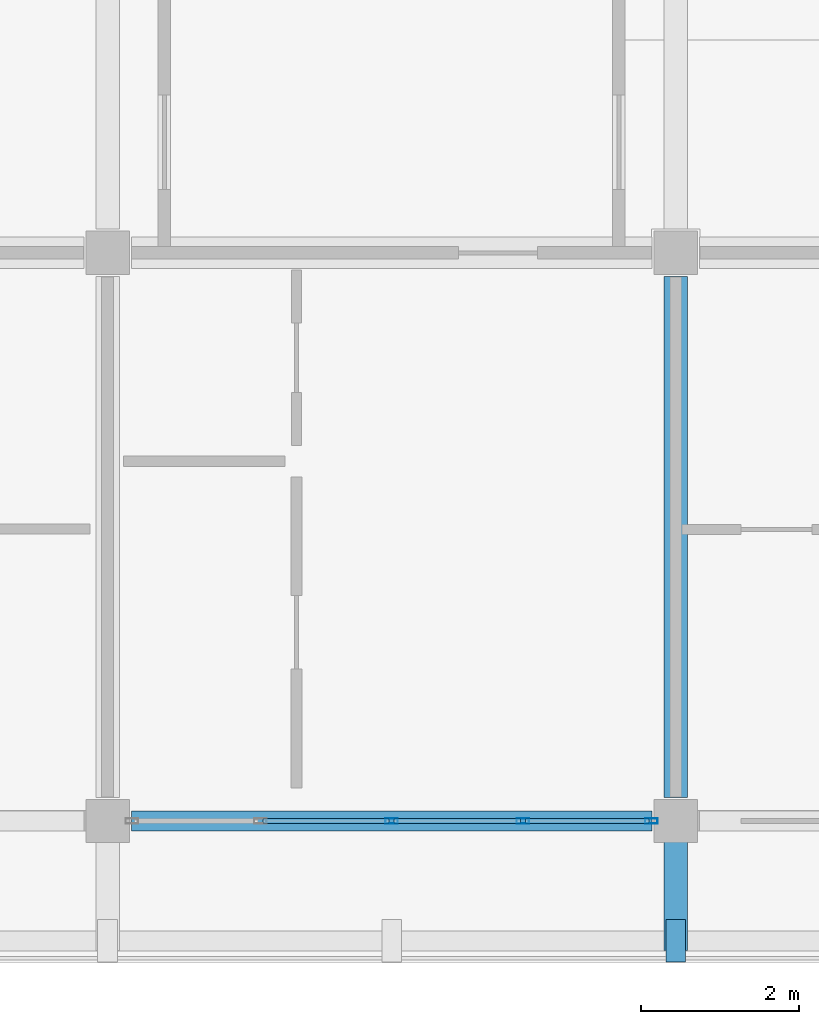
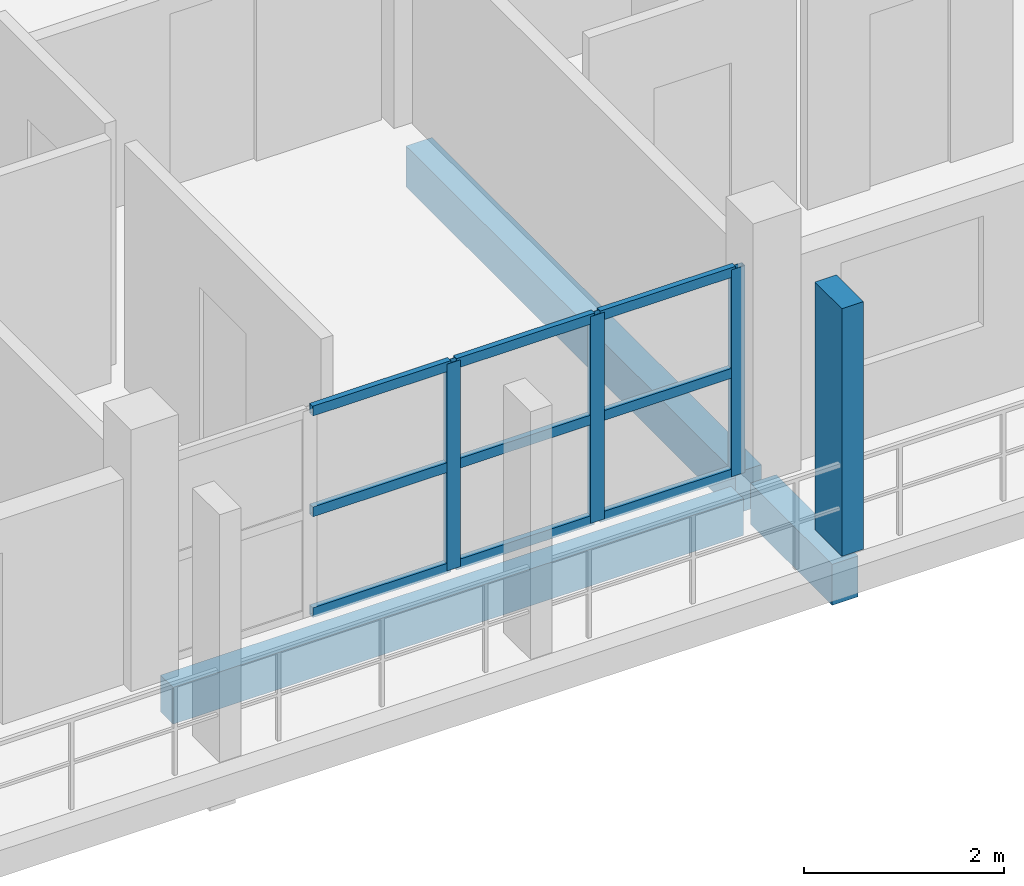
# One storey, part 22 of 73: 13 members, 3 beams, 1 element without a shape of its own.
"""IFC4 building model written with IfcOpenShell, lengths in metres."""

from ifc_helpers import new_model, si_unit, direction, frame, origin, origin_2d, place, context, subcontext, project, spatial, rectangle, hollow_rectangle, extrude, material, material_profile, profile_set, type_object, element, aggregate, save


model = new_model("IFC4")

# Units and contexts
model_context = context("Model", 3, precision=1e-05, world=origin(), true_north=direction((0.0, 1.0)))
body_context = subcontext(model_context, "Body", "Model", "MODEL_VIEW")
ifc_project = project(units=[si_unit("LENGTHUNIT", "METRE"), si_unit("AREAUNIT", "SQUARE_METRE"), si_unit("VOLUMEUNIT", "CUBIC_METRE"), si_unit("PLANEANGLEUNIT", "RADIAN"), si_unit("MASSUNIT", "GRAM", prefix="KILO")], contexts=[model_context])

# Site, building, storey
site_placement = place(None, origin())
site = spatial("IfcSite", under=ifc_project, at=site_placement, CompositionType="ELEMENT")
building_placement = place(site_placement, origin())
building = spatial("IfcBuilding", under=site, at=building_placement, Name="Suanplinth Sawtooth Commons", CompositionType="ELEMENT")
storey_placement = place(building_placement, frame((0.0, 0.0, 21.89990234375)))
storey = spatial("IfcBuildingStorey", under=building, at=storey_placement, Name="L06", CompositionType="ELEMENT", Elevation=21.89990234375)

# Beams
ifc_material_1 = material(Name="Precast concrete C40/50", Category="concrete")
ifc_material_profile_1 = material_profile(ifc_material_1, rectangle(XDim=0.300048828125, YDim=0.5, at=origin_2d()), Name="PC-BM 300x500")
ifc_profile_set_1 = profile_set([ifc_material_profile_1], Name="Precast concrete C40/50")
beam_type_1 = type_object("IfcBeamType", Name="B-07", PredefinedType="BEAM", material=ifc_profile_set_1)
beam_1_placement = place(storey_placement, frame((172.800048828125, 0.300048828125, -0.489990234375), z_axis=(0.0, 1.0, 0.0), x_axis=(-1.0, 0.0, 0.0)))
element("IfcBeam", 1, at=beam_1_placement, inside=storey, type_object=beam_type_1, Name="BMY-L06-C-24-0", PredefinedType="BEAM", context=body_context, shape_type="SweptSolid", body=[
    extrude(rectangle(XDim=0.300048828125, YDim=0.5, at=origin_2d()), origin(), (0.0, 0.0, 1.0), 6.599853515625),
])
beam_2_placement = place(storey_placement, frame((172.800048828125, 0.0, -0.429931640625), z_axis=(0.0, -1.0, 0.0), x_axis=(1.0, 0.0, 0.0)))
element("IfcBeam", 2, at=beam_2_placement, inside=storey, type_object=beam_type_1, Name="Balcony Outrigger L06-C-S-24", PredefinedType="BEAM", context=body_context, shape_type="SweptSolid", body=[
    extrude(rectangle(XDim=0.300048828125, YDim=0.5, at=origin_2d()), origin(), (0.0, 0.0, 1.0), 1.639892578125),
])
ifc_material_profile_2 = material_profile(ifc_material_1, rectangle(XDim=0.25, YDim=0.449951171875, at=origin_2d()), Name="PC-SP 250x450")
ifc_profile_set_2 = profile_set([ifc_material_profile_2], Name="Precast concrete C40/50")
beam_type_2 = type_object("IfcBeamType", Name="B-09", PredefinedType="SPANDREL", material=ifc_profile_set_2)
beam_3_placement = place(storey_placement, frame((165.89990234375, 0.0, -0.46484375), z_axis=(1.0, 0.0, 0.0), x_axis=(0.0, 1.0, 0.0)))
element("IfcBeam", 3, at=beam_3_placement, inside=storey, type_object=beam_type_2, Name="BMX-L06-C-23-0", PredefinedType="SPANDREL", context=body_context, shape_type="SweptSolid", body=[
    extrude(rectangle(XDim=0.25, YDim=0.449951171875, at=origin_2d()), origin(), (0.0, 0.0, 1.0), 6.60009765625),
])

# Member
ifc_material_2 = material(Name="Pigmented precast concrete C40/50", Category="concrete")
ifc_material_profile_3 = material_profile(ifc_material_2, rectangle(XDim=0.25, YDim=0.5400390625, at=origin_2d()), Name="PC-FIN 250x540")
ifc_profile_set_3 = profile_set([ifc_material_profile_3], Name="Pigmented precast concrete C40/50")
member_type_1 = type_object("IfcMemberType", Name="M-11", PredefinedType="USERDEFINED", material=ifc_profile_set_3)
member_1_placement = place(storey_placement, frame((172.800048828125, -1.52001953125, 0.0), z_axis=(0.0, 0.0, 1.0), x_axis=(1.0, 0.0, 0.0)))
element("IfcMember", 4, at=member_1_placement, inside=storey, type_object=member_type_1, Name="Upright Solar Blade L06-C-S-08", ObjectType="SHADING FIN", PredefinedType="USERDEFINED", context=body_context, shape_type="SweptSolid", body=[
    extrude(rectangle(XDim=0.25, YDim=0.5400390625, at=origin_2d()), origin(), (0.0, 0.0, 1.0), 3.030029296875),
])

# Curtain wall, members
ifc_material_3 = material(Name="Anodized aluminium and low-E glazing", Category="aluminium")
curtain_wall_type = type_object("IfcCurtainWallType", Name="CW-06", PredefinedType="USERDEFINED", material=ifc_material_3)
curtain_wall_placement = place(storey_placement, origin())
curtain_wall = element("IfcCurtainWall", 5, at=curtain_wall_placement, inside=storey, type_object=curtain_wall_type, Name="Curtain Wall CW-L06-C-LOUNGE-23", ObjectType="CURTAIN WALL", PredefinedType="USERDEFINED")
ifc_material_4 = material(Name="Anodized aluminium 6063-T6", Category="aluminium")
ifc_material_profile_4 = material_profile(ifc_material_4, hollow_rectangle(XDim=0.06494140625, YDim=0.159912109375, WallThickness=0.00390625, at=origin_2d()), Name="ALU-MUL 65x160")
ifc_profile_set_4 = profile_set([ifc_material_profile_4], Name="Anodized aluminium 6063-T6")
member_type_2 = type_object("IfcMemberType", Name="M-13", PredefinedType="MULLION", material=ifc_profile_set_4)
member_2_placement = place(storey_placement, frame((169.199951171875, 0.0, 0.0), z_axis=(0.0, 0.0, 1.0), x_axis=(0.0, 1.0, 0.0)))
member_2 = element("IfcMember", 6, at=member_2_placement, type_object=member_type_2, Name="CW-06 mullion 3", PredefinedType="MULLION", context=body_context, shape_type="SweptSolid", body=[
    extrude(hollow_rectangle(XDim=0.06494140625, YDim=0.159912109375, WallThickness=0.00390625, at=origin_2d()), origin(), (0.0, 0.0, 1.0), 2.530029296875),
])
member_3_placement = place(storey_placement, frame((170.862548828125, 0.0, 0.0), z_axis=(0.0, 0.0, 1.0), x_axis=(0.0, 1.0, 0.0)))
member_3 = element("IfcMember", 7, at=member_3_placement, type_object=member_type_2, Name="CW-06 mullion 4", PredefinedType="MULLION", context=body_context, shape_type="SweptSolid", body=[
    extrude(hollow_rectangle(XDim=0.06494140625, YDim=0.159912109375, WallThickness=0.00390625, at=origin_2d()), origin(), (0.0, 0.0, 1.0), 2.530029296875),
])
member_4_placement = place(storey_placement, frame((172.492431640625, 0.0, 0.0), z_axis=(0.0, 0.0, 1.0), x_axis=(0.0, 1.0, 0.0)))
member_4 = element("IfcMember", 8, at=member_4_placement, type_object=member_type_2, Name="CW-06 mullion 5", PredefinedType="MULLION", context=body_context, shape_type="SweptSolid", body=[
    extrude(hollow_rectangle(XDim=0.06494140625, YDim=0.159912109375, WallThickness=0.00390625, at=origin_2d()), origin(), (0.0, 0.0, 1.0), 2.530029296875),
])
ifc_material_profile_5 = material_profile(ifc_material_4, hollow_rectangle(XDim=0.06494140625, YDim=0.1201171875, WallThickness=0.00390625, at=origin_2d()), Name="ALU-TRN 65x120")
ifc_profile_set_5 = profile_set([ifc_material_profile_5], Name="Anodized aluminium 6063-T6")
member_type_3 = type_object("IfcMemberType", Name="M-15", PredefinedType="USERDEFINED", material=ifc_profile_set_5)
member_5_placement = place(storey_placement, frame((167.570068359375, 0.0, 0.03271484375), z_axis=(1.0, 0.0, 0.0), x_axis=(0.0, 1.0, 0.0)))
member_5 = element("IfcMember", 9, at=member_5_placement, type_object=member_type_3, Name="CW-06 transom 2.1", ObjectType="TRANSOM", PredefinedType="USERDEFINED", context=body_context, shape_type="SweptSolid", body=[
    extrude(hollow_rectangle(XDim=0.06494140625, YDim=0.1201171875, WallThickness=0.00390625, at=origin_2d()), origin(), (0.0, 0.0, 1.0), 1.597412109375),
])
member_6_placement = place(storey_placement, frame((167.570068359375, 0.0, 1.26513671875), z_axis=(1.0, 0.0, 0.0), x_axis=(0.0, 1.0, 0.0)))
member_6 = element("IfcMember", 10, at=member_6_placement, type_object=member_type_3, Name="CW-06 transom 2.2", ObjectType="TRANSOM", PredefinedType="USERDEFINED", context=body_context, shape_type="SweptSolid", body=[
    extrude(hollow_rectangle(XDim=0.06494140625, YDim=0.1201171875, WallThickness=0.00390625, at=origin_2d()), origin(), (0.0, 0.0, 1.0), 1.597412109375),
])
member_7_placement = place(storey_placement, frame((167.570068359375, 0.0, 2.49755859375), z_axis=(1.0, 0.0, 0.0), x_axis=(0.0, 1.0, 0.0)))
member_7 = element("IfcMember", 11, at=member_7_placement, type_object=member_type_3, Name="CW-06 transom 2.3", ObjectType="TRANSOM", PredefinedType="USERDEFINED", context=body_context, shape_type="SweptSolid", body=[
    extrude(hollow_rectangle(XDim=0.06494140625, YDim=0.1201171875, WallThickness=0.00390625, at=origin_2d()), origin(), (0.0, 0.0, 1.0), 1.597412109375),
])
member_8_placement = place(storey_placement, frame((169.232421875, 0.0, 0.03271484375), z_axis=(1.0, 0.0, 0.0), x_axis=(0.0, 1.0, 0.0)))
member_8 = element("IfcMember", 12, at=member_8_placement, type_object=member_type_3, Name="CW-06 transom 3.1", ObjectType="TRANSOM", PredefinedType="USERDEFINED", context=body_context, shape_type="SweptSolid", body=[
    extrude(hollow_rectangle(XDim=0.06494140625, YDim=0.1201171875, WallThickness=0.00390625, at=origin_2d()), origin(), (0.0, 0.0, 1.0), 1.59765625),
])
member_9_placement = place(storey_placement, frame((169.232421875, 0.0, 1.26513671875), z_axis=(1.0, 0.0, 0.0), x_axis=(0.0, 1.0, 0.0)))
member_9 = element("IfcMember", 13, at=member_9_placement, type_object=member_type_3, Name="CW-06 transom 3.2", ObjectType="TRANSOM", PredefinedType="USERDEFINED", context=body_context, shape_type="SweptSolid", body=[
    extrude(hollow_rectangle(XDim=0.06494140625, YDim=0.1201171875, WallThickness=0.00390625, at=origin_2d()), origin(), (0.0, 0.0, 1.0), 1.59765625),
])
member_10_placement = place(storey_placement, frame((169.232421875, 0.0, 2.49755859375), z_axis=(1.0, 0.0, 0.0), x_axis=(0.0, 1.0, 0.0)))
member_10 = element("IfcMember", 14, at=member_10_placement, type_object=member_type_3, Name="CW-06 transom 3.3", ObjectType="TRANSOM", PredefinedType="USERDEFINED", context=body_context, shape_type="SweptSolid", body=[
    extrude(hollow_rectangle(XDim=0.06494140625, YDim=0.1201171875, WallThickness=0.00390625, at=origin_2d()), origin(), (0.0, 0.0, 1.0), 1.59765625),
])
member_11_placement = place(storey_placement, frame((170.89501953125, 0.0, 0.03271484375), z_axis=(1.0, 0.0, 0.0), x_axis=(0.0, 1.0, 0.0)))
member_11 = element("IfcMember", 15, at=member_11_placement, type_object=member_type_3, Name="CW-06 transom 4.1", ObjectType="TRANSOM", PredefinedType="USERDEFINED", context=body_context, shape_type="SweptSolid", body=[
    extrude(hollow_rectangle(XDim=0.06494140625, YDim=0.1201171875, WallThickness=0.00390625, at=origin_2d()), origin(), (0.0, 0.0, 1.0), 1.56494140625),
])
member_12_placement = place(storey_placement, frame((170.89501953125, 0.0, 1.26513671875), z_axis=(1.0, 0.0, 0.0), x_axis=(0.0, 1.0, 0.0)))
member_12 = element("IfcMember", 16, at=member_12_placement, type_object=member_type_3, Name="CW-06 transom 4.2", ObjectType="TRANSOM", PredefinedType="USERDEFINED", context=body_context, shape_type="SweptSolid", body=[
    extrude(hollow_rectangle(XDim=0.06494140625, YDim=0.1201171875, WallThickness=0.00390625, at=origin_2d()), origin(), (0.0, 0.0, 1.0), 1.56494140625),
])
member_13_placement = place(storey_placement, frame((170.89501953125, 0.0, 2.49755859375), z_axis=(1.0, 0.0, 0.0), x_axis=(0.0, 1.0, 0.0)))
member_13 = element("IfcMember", 17, at=member_13_placement, type_object=member_type_3, Name="CW-06 transom 4.3", ObjectType="TRANSOM", PredefinedType="USERDEFINED", context=body_context, shape_type="SweptSolid", body=[
    extrude(hollow_rectangle(XDim=0.06494140625, YDim=0.1201171875, WallThickness=0.00390625, at=origin_2d()), origin(), (0.0, 0.0, 1.0), 1.56494140625),
])
aggregate(curtain_wall, [member_2, member_3, member_4, member_5, member_6, member_7, member_8, member_9, member_10, member_11, member_12, member_13])

save(model, "model.ifc")
